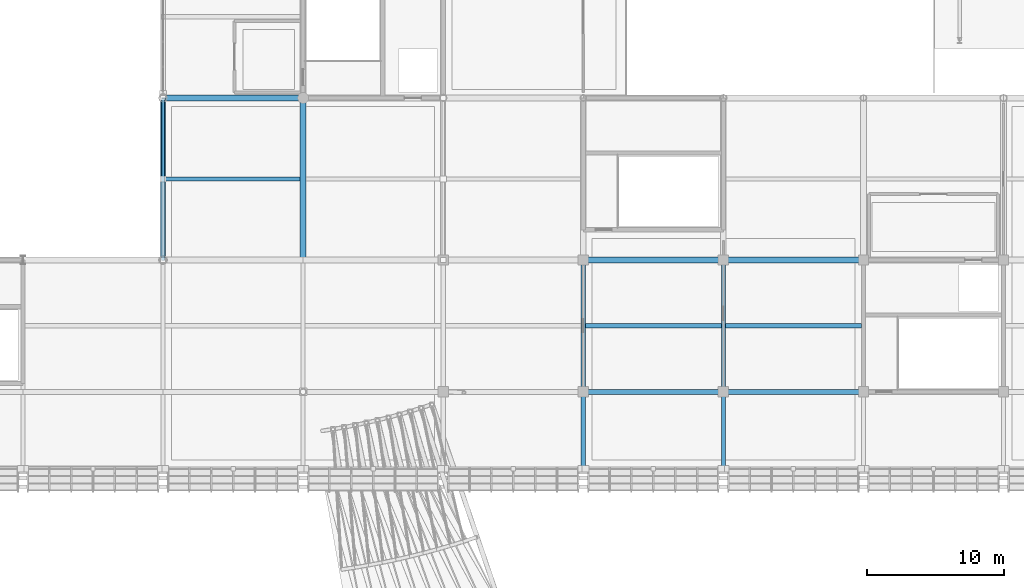
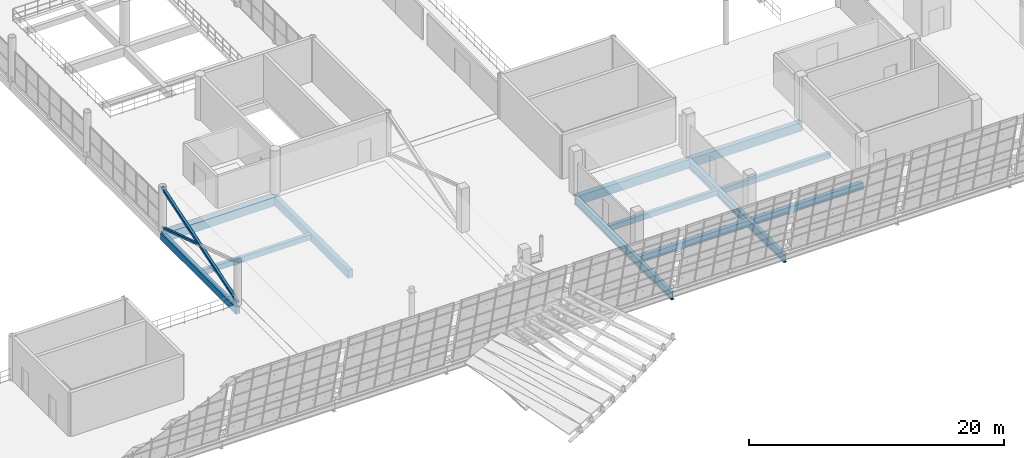
# One storey, part 53 of 157: 12 beams, 2 members.
"""IFC4 building model written with IfcOpenShell, lengths in metres."""

from ifc_helpers import new_model, si_unit, direction, frame, origin, origin_2d, place, context, subcontext, project, spatial, rectangle, hollow_rectangle, i_section, extrude, material, material_profile, profile_set, type_object, element, save


model = new_model("IFC4")

# Units and contexts
model_context = context("Model", 3, precision=1e-05, world=origin(), true_north=direction((0.0, 1.0)))
body_context = subcontext(model_context, "Body", "Model", "MODEL_VIEW")
ifc_project = project(units=[si_unit("LENGTHUNIT", "METRE"), si_unit("AREAUNIT", "SQUARE_METRE"), si_unit("VOLUMEUNIT", "CUBIC_METRE"), si_unit("PLANEANGLEUNIT", "RADIAN"), si_unit("MASSUNIT", "GRAM", prefix="KILO")], contexts=[model_context])

# Site, building, storey
site_placement = place(None, origin())
site = spatial("IfcSite", under=ifc_project, at=site_placement, CompositionType="ELEMENT")
building_placement = place(site_placement, origin())
building = spatial("IfcBuilding", under=site, at=building_placement, Name="Brelvane Convention Centre", CompositionType="ELEMENT")
storey_placement = place(building_placement, frame((0.0, 0.0, 10.800048828125)))
storey = spatial("IfcBuildingStorey", under=building, at=storey_placement, Name="L02", CompositionType="ELEMENT", Elevation=10.800048828125)

# Beams
ifc_material_1 = material(Name="Concrete M40", Category="concrete")
ifc_material_profile_1 = material_profile(ifc_material_1, rectangle(XDim=0.4599609375, YDim=0.840087890625, at=origin_2d()), Name="RC 460x840")
ifc_profile_set_1 = profile_set([ifc_material_profile_1], Name="Concrete M40")
beam_type_1 = type_object("IfcBeamType", Name="RC Beam B-RC11 (RC 460x840)", PredefinedType="BEAM", material=ifc_profile_set_1)
beam_1_placement = place(storey_placement, frame((142.800048828125, 40.60009765625, -0.699951171875), z_axis=(1.0, 0.0, 0.0), x_axis=(0.0, 1.0, 0.0)))
element("IfcBeam", 1, at=beam_1_placement, inside=storey, type_object=beam_type_1, Name="L02 Beam 15-16/E", PredefinedType="BEAM", context=body_context, shape_type="SweptSolid", body=[
    extrude(rectangle(XDim=0.4599609375, YDim=0.840087890625, at=origin_2d()), origin(), (0.0, 0.0, 1.0), 10.199951171875),
])
beam_2_placement = place(storey_placement, frame((173.39990234375, 28.800048828125, -0.699951171875), z_axis=(1.0, 0.0, 0.0), x_axis=(0.0, 1.0, 0.0)))
element("IfcBeam", 2, at=beam_2_placement, inside=storey, type_object=beam_type_1, Name="L02 Beam 18-19/D", PredefinedType="BEAM", context=body_context, shape_type="SweptSolid", body=[
    extrude(rectangle(XDim=0.4599609375, YDim=0.840087890625, at=origin_2d()), origin(), (0.0, 0.0, 1.0), 10.2001953125),
])
beam_3_placement = place(storey_placement, frame((183.60009765625, 28.800048828125, -0.699951171875), z_axis=(1.0, 0.0, 0.0), x_axis=(0.0, 1.0, 0.0)))
element("IfcBeam", 3, at=beam_3_placement, inside=storey, type_object=beam_type_1, Name="L02 Beam 19-20/D", PredefinedType="BEAM", context=body_context, shape_type="SweptSolid", body=[
    extrude(rectangle(XDim=0.4599609375, YDim=0.840087890625, at=origin_2d()), origin(), (0.0, 0.0, 1.0), 10.199951171875),
])
ifc_material_2 = material(Name="Concrete M40", Category="concrete")
ifc_material_profile_2 = material_profile(ifc_material_2, rectangle(XDim=0.419921875, YDim=0.780029296875, at=origin_2d()), Name="RC 420x780")
ifc_profile_set_2 = profile_set([ifc_material_profile_2], Name="Concrete M40")
beam_type_2 = type_object("IfcBeamType", Name="RC Beam B-RC12 (RC 420x780)", PredefinedType="BEAM", material=ifc_profile_set_2)
beam_4_placement = place(storey_placement, frame((153.0, 28.800048828125, -0.670166015625), z_axis=(0.0, 1.0, 0.0), x_axis=(-1.0, 0.0, 0.0)))
element("IfcBeam", 4, at=beam_4_placement, inside=storey, type_object=beam_type_2, Name="L02 Girder 16/D-E", PredefinedType="BEAM", context=body_context, shape_type="SweptSolid", body=[
    extrude(rectangle(XDim=0.419921875, YDim=0.780029296875, at=origin_2d()), origin(), (0.0, 0.0, 1.0), 11.800048828125),
])
ifc_material_3 = material(Name="Concrete M40", Category="concrete")
ifc_material_profile_3 = material_profile(ifc_material_3, rectangle(XDim=0.320068359375, YDim=0.52001953125, at=origin_2d()), Name="RC 320x520")
ifc_profile_set_3 = profile_set([ifc_material_profile_3], Name="Concrete M40")
beam_type_3 = type_object("IfcBeamType", Name="RC Joist J-RC4 (RC 320x520)", PredefinedType="JOIST", material=ifc_profile_set_3)
beam_5_placement = place(storey_placement, frame((142.97998046875, 34.699951171875, -0.5400390625), z_axis=(1.0, 0.0, 0.0), x_axis=(0.0, 1.0, 0.0)))
element("IfcBeam", 5, at=beam_5_placement, inside=storey, type_object=beam_type_3, Name="L02 Secondary Joist 15-16/DE", PredefinedType="JOIST", context=body_context, shape_type="SweptSolid", body=[
    extrude(rectangle(XDim=0.320068359375, YDim=0.52001953125, at=origin_2d()), origin(), (0.0, 0.0, 1.0), 9.81005859375),
])
for number, where, z_axis, x_axis, name in (
    (6, (173.550048828125, 24.0, -0.5400390625), (1.0, 0.0, 0.0), (0.0, 1.0, 0.0), "L02 Secondary Joist 18-19/CD"),
    (7, (183.75, 24.0, -0.5400390625), (1.0, 0.0, 0.0), (0.0, 1.0, 0.0), "L02 Secondary Joist 19-20/CD"),
):
    element("IfcBeam", number, at=place(storey_placement, frame(where, z_axis=z_axis, x_axis=x_axis)), inside=storey, type_object=beam_type_3, Name=name, PredefinedType="JOIST", context=body_context, shape_type="SweptSolid", body=[
        extrude(rectangle(XDim=0.320068359375, YDim=0.52001953125, at=origin_2d()), origin(), (0.0, 0.0, 1.0), 9.89990234375),
    ])
ifc_material_4 = material(Name="Concrete M40", Category="concrete")
ifc_material_profile_4 = material_profile(ifc_material_4, rectangle(XDim=0.360107421875, YDim=0.639892578125, at=origin_2d()), Name="RC 360x640")
ifc_profile_set_4 = profile_set([ifc_material_profile_4], Name="Concrete M40")
beam_type_4 = type_object("IfcBeamType", Name="RC Spandrel SP-RC3 (RC 360x640)", PredefinedType="SPANDREL", material=ifc_profile_set_4)
beam_6_placement = place(storey_placement, frame((173.39990234375, 19.199951171875, -0.60009765625), z_axis=(1.0, 0.0, 0.0), x_axis=(0.0, 1.0, 0.0)))
element("IfcBeam", 8, at=beam_6_placement, inside=storey, type_object=beam_type_4, Name="L02 Beam 18-19/C", PredefinedType="SPANDREL", context=body_context, shape_type="SweptSolid", body=[
    extrude(rectangle(XDim=0.360107421875, YDim=0.639892578125, at=origin_2d()), origin(), (0.0, 0.0, 1.0), 10.2001953125),
])
beam_7_placement = place(storey_placement, frame((183.60009765625, 19.199951171875, -0.60009765625), z_axis=(1.0, 0.0, 0.0), x_axis=(0.0, 1.0, 0.0)))
element("IfcBeam", 9, at=beam_7_placement, inside=storey, type_object=beam_type_4, Name="L02 Beam 19-20/C", PredefinedType="SPANDREL", context=body_context, shape_type="SweptSolid", body=[
    extrude(rectangle(XDim=0.360107421875, YDim=0.639892578125, at=origin_2d()), origin(), (0.0, 0.0, 1.0), 10.199951171875),
])
beam_8_placement = place(storey_placement, frame((142.800048828125, 28.800048828125, -0.60009765625), z_axis=(0.0, 1.0, 0.0), x_axis=(-1.0, 0.0, 0.0)))
element("IfcBeam", 10, at=beam_8_placement, inside=storey, type_object=beam_type_4, Name="L02 Girder 15/D-E", PredefinedType="SPANDREL", context=body_context, shape_type="SweptSolid", body=[
    extrude(rectangle(XDim=0.360107421875, YDim=0.639892578125, at=origin_2d()), origin(), (0.0, 0.0, 1.0), 11.800048828125),
])
ifc_material_5 = material(Name="Steel E450 (450 MPa)", Category="steel")
ifc_material_profile_5 = material_profile(ifc_material_5, i_section(OverallWidth=0.300048828125, OverallDepth=0.800048828125, WebThickness=0.015380859375, FlangeThickness=0.030029296875, FilletRadius=0.027099609375, at=origin_2d()), Name="NPB 800x300")
ifc_profile_set_5 = profile_set([ifc_material_profile_5], Name="Steel E450 (450 MPa)")
beam_type_5 = type_object("IfcBeamType", Name="Steel Beam B-ST2 (NPB 800x300)", PredefinedType="BEAM", material=ifc_profile_set_5)
for number, where, z_axis, x_axis, name in (
    (11, (173.39990234375, 13.60009765625, -0.679931640625), (0.0, 1.0, 0.0), (-1.0, 0.0, 0.0), "L02 Hull Cantilever Girder 18"),
    (12, (183.60009765625, 13.60009765625, -0.679931640625), (0.0, 1.0, 0.0), (-1.0, 0.0, 0.0), "L02 Hull Cantilever Girder 19"),
):
    element("IfcBeam", number, at=place(storey_placement, frame(where, z_axis=z_axis, x_axis=x_axis)), inside=storey, type_object=beam_type_5, Name=name, PredefinedType="BEAM", context=body_context, shape_type="SweptSolid", body=[
        extrude(i_section(OverallWidth=0.300048828125, OverallDepth=0.800048828125, WebThickness=0.015380859375, FlangeThickness=0.030029296875, FilletRadius=0.027099609375, at=origin_2d()), origin(), (0.0, 0.0, 1.0), 15.199951171875),
    ])

# Members
ifc_material_6 = material(Name="Steel E350 (350 MPa)", Category="steel")
ifc_material_profile_6 = material_profile(ifc_material_6, hollow_rectangle(XDim=0.25, YDim=0.25, WallThickness=0.012451171875, InnerFilletRadius=0.012451171875, OuterFilletRadius=0.02490234375, at=origin_2d()), Name="SHS 250x250x12.5")
ifc_profile_set_6 = profile_set([ifc_material_profile_6], Name="Steel E350 (350 MPa)")
member_type_1 = type_object("IfcMemberType", Name="Steel Brace BR-ST2 (SHS 250x250x12.5)", PredefinedType="BRACE", material=ifc_profile_set_6)
member_1_placement = place(storey_placement, frame((142.800048828125, 28.800048828125, 0.199951171875), z_axis=(0.0, 0.951859778714, 0.306533785523), x_axis=(-1.0, 0.0, 0.0)))
element("IfcMember", 13, at=member_1_placement, inside=storey, type_object=member_type_1, Name="Lateral X-Brace Continuous V1E-1-L02-A", PredefinedType="BRACE", context=body_context, shape_type="SweptSolid", body=[
    extrude(hollow_rectangle(XDim=0.25, YDim=0.25, WallThickness=0.012451171875, InnerFilletRadius=0.012451171875, OuterFilletRadius=0.02490234375, at=origin_2d()), origin(), (0.0, 0.0, 1.0), 12.396728515625),
])
ifc_material_7 = material(Name="Steel E350 (350 MPa)", Category="steel")
ifc_material_profile_7 = material_profile(ifc_material_7, hollow_rectangle(XDim=0.199951171875, YDim=0.199951171875, WallThickness=0.010009765625, InnerFilletRadius=0.010009765625, OuterFilletRadius=0.02001953125, at=origin_2d()), Name="SHS 200x200x10.0")
ifc_profile_set_7 = profile_set([ifc_material_profile_7], Name="Steel E350 (350 MPa)")
member_type_2 = type_object("IfcMemberType", Name="Steel Brace BR-ST3 (SHS 200x200x10.0)", PredefinedType="BRACE", material=ifc_profile_set_7)
member_2_placement = place(storey_placement, frame((142.800048828125, 40.60009765625, 0.199951171875), z_axis=(0.0, -0.951867375009, 0.306510196231), x_axis=(1.0, 0.0, 0.0)))
element("IfcMember", 14, at=member_2_placement, inside=storey, type_object=member_type_2, Name="Lateral X-Brace Split Lower V1E-1-L02-B1", PredefinedType="BRACE", context=body_context, shape_type="SweptSolid", body=[
    extrude(hollow_rectangle(XDim=0.199951171875, YDim=0.199951171875, WallThickness=0.010009765625, InnerFilletRadius=0.010009765625, OuterFilletRadius=0.02001953125, at=origin_2d()), origin(), (0.0, 0.0, 1.0), 6.198486328125),
])

save(model, "model.ifc")
